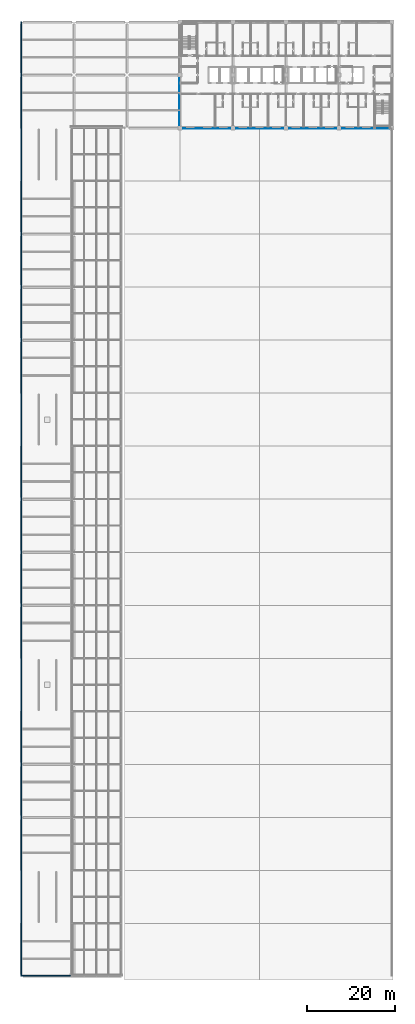
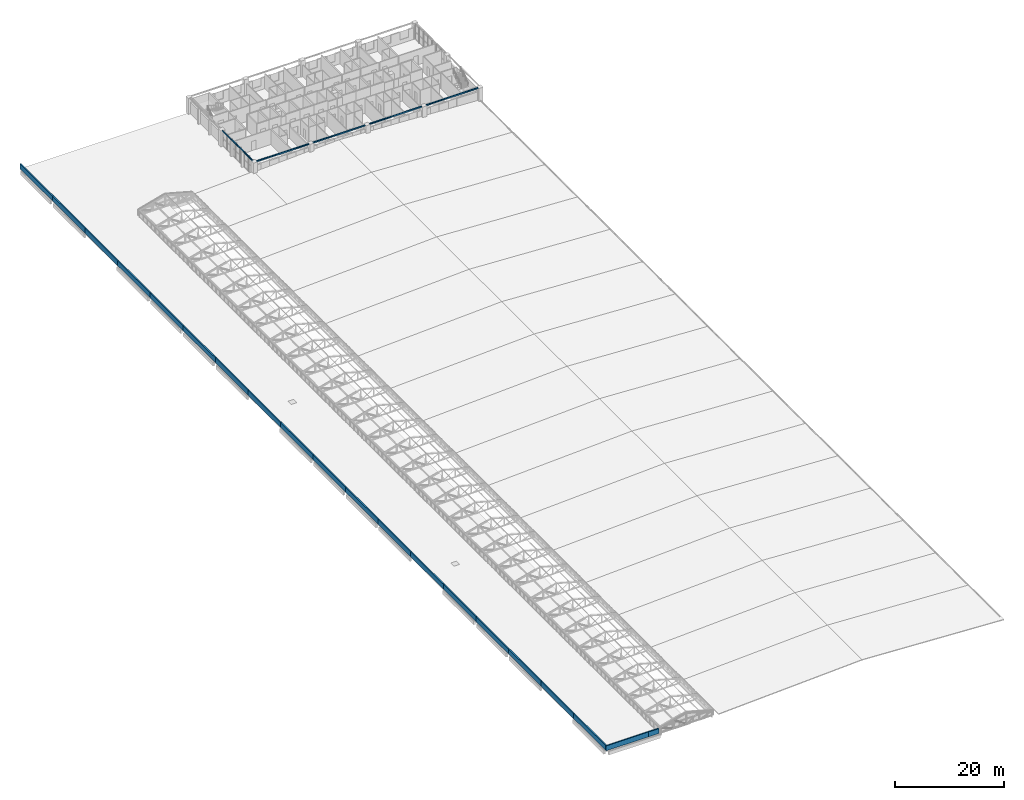
# One storey, part 86 of 94: 25 walls.
"""IFC4 building model written with IfcOpenShell, lengths in metres."""

from ifc_helpers import new_model, si_unit, direction, frame, frame_2d, origin, place, context, subcontext, project, spatial, rectangle, extrude, material, layer, layer_set, type_object, element, save


model = new_model("IFC4")

# Units and contexts
model_context = context("Model", 3, precision=1e-05, world=origin(), true_north=direction((0.0, 1.0)))
body_context = subcontext(model_context, "Body", "Model", "MODEL_VIEW")
ifc_project = project(units=[si_unit("LENGTHUNIT", "METRE"), si_unit("AREAUNIT", "SQUARE_METRE"), si_unit("VOLUMEUNIT", "CUBIC_METRE"), si_unit("PLANEANGLEUNIT", "RADIAN"), si_unit("MASSUNIT", "GRAM", prefix="KILO")], contexts=[model_context])

# Site, building, storey
site_placement = place(None, origin())
site = spatial("IfcSite", under=ifc_project, at=site_placement, CompositionType="ELEMENT")
building_placement = place(site_placement, origin())
building = spatial("IfcBuilding", under=site, at=building_placement, Name="Lilac Gate Convention Centre", CompositionType="ELEMENT")
storey_placement = place(building_placement, frame((0.0, 0.0, 21.0)))
storey = spatial("IfcBuildingStorey", under=building, at=storey_placement, Name="L04", CompositionType="ELEMENT", Elevation=21.0)

# Walls
ifc_material_1 = material(Name="Concrete C40 precast", Category="concrete")
ifc_layer_1 = layer(ifc_material_1, 0.22998046875)
ifc_material_2 = material(Name="Ochre mineral render")
ifc_layer_2 = layer(ifc_material_2, 0.02001953125)
ifc_layer_set_1 = layer_set([ifc_layer_1, ifc_layer_2], Name="Concrete C40 precast, Ochre mineral render")
wall_type_1 = type_object("IfcWallType", Name="Parapet precast 250", PredefinedType="PARAPET", material=ifc_layer_set_1)
for number, where, z_axis, x_axis, name in (
    (1, (6.125, 30.0, 0.0), (0.0, 0.0, 1.0), (0.0, 1.0, 0.0), "Parapet stack roof W 1"),
    (2, (6.125, 42.0, 0.0), (0.0, 0.0, 1.0), (0.0, 1.0, 0.0), "Parapet stack roof W 2"),
    (3, (6.125, 54.0, 0.0), (0.0, 0.0, 1.0), (0.0, 1.0, 0.0), "Parapet stack roof W 3"),
    (4, (6.125, 66.0, 0.0), (0.0, 0.0, 1.0), (0.0, 1.0, 0.0), "Parapet stack roof W 4"),
    (5, (6.125, 78.0, 0.0), (0.0, 0.0, 1.0), (0.0, 1.0, 0.0), "Parapet stack roof W 5"),
    (6, (6.125, 90.0, 0.0), (0.0, 0.0, 1.0), (0.0, 1.0, 0.0), "Parapet stack roof W 6"),
    (7, (6.125, 102.0, 0.0), (0.0, 0.0, 1.0), (0.0, 1.0, 0.0), "Parapet stack roof W 7"),
    (8, (6.125, 114.0, 0.0), (0.0, 0.0, 1.0), (0.0, 1.0, 0.0), "Parapet stack roof W 8"),
    (9, (6.125, 126.0, 0.0), (0.0, 0.0, 1.0), (0.0, 1.0, 0.0), "Parapet stack roof W 9"),
    (10, (6.125, 138.0, 0.0), (0.0, 0.0, 1.0), (0.0, 1.0, 0.0), "Parapet stack roof W 10"),
    (11, (6.125, 150.0, 0.0), (0.0, 0.0, 1.0), (0.0, 1.0, 0.0), "Parapet stack roof W 11"),
    (12, (6.125, 162.0, 0.0), (0.0, 0.0, 1.0), (0.0, 1.0, 0.0), "Parapet stack roof W 12"),
    (13, (6.125, 174.0, 0.0), (0.0, 0.0, 1.0), (0.0, 1.0, 0.0), "Parapet stack roof W 13"),
    (14, (6.125, 186.0, 0.0), (0.0, 0.0, 1.0), (0.0, 1.0, 0.0), "Parapet stack roof W 14"),
    (15, (6.125, 198.0, 0.0), (0.0, 0.0, 1.0), (0.0, 1.0, 0.0), "Parapet stack roof W 15"),
    (16, (6.125, 210.0, 0.0), (0.0, 0.0, 1.0), (0.0, 1.0, 0.0), "Parapet stack roof W 16"),
    (17, (6.125, 222.0, 0.0), (0.0, 0.0, 1.0), (0.0, 1.0, 0.0), "Parapet stack roof W 17"),
    (18, (6.125, 234.0, 0.0), (0.0, 0.0, 1.0), (0.0, 1.0, 0.0), "Parapet stack roof W 18"),
):
    element("IfcWall", number, at=place(storey_placement, frame(where, z_axis=z_axis, x_axis=x_axis)), inside=storey, type_object=wall_type_1, Name=name, PredefinedType="PARAPET", context=body_context, shape_type="SweptSolid", body=[
        extrude(rectangle(XDim=12.0, YDim=0.25, at=frame_2d((6.0, 0.0))), origin(), (0.0, 0.0, 1.0), 1.10009765625),
    ])
wall_1_placement = place(storey_placement, frame((6.0, 30.125, 0.0), z_axis=(0.0, 0.0, 1.0), x_axis=(1.0, 0.0, 0.0)))
element("IfcWall", 19, at=wall_1_placement, inside=storey, type_object=wall_type_1, Name="Parapet stack roof S 1", PredefinedType="PARAPET", context=body_context, shape_type="SweptSolid", body=[
    extrude(rectangle(XDim=9.0, YDim=0.25, at=frame_2d((4.5, 0.0))), origin(), (0.0, 0.0, 1.0), 1.10009765625),
])
wall_2_placement = place(storey_placement, frame((15.0, 30.125, 0.0), z_axis=(0.0, 0.0, 1.0), x_axis=(1.0, 0.0, 0.0)))
element("IfcWall", 20, at=wall_2_placement, inside=storey, type_object=wall_type_1, Name="Parapet stack roof S 2", PredefinedType="PARAPET", context=body_context, shape_type="SweptSolid", body=[
    extrude(rectangle(XDim=2.25, YDim=0.25, at=frame_2d((1.125, 0.0))), origin(), (0.0, 0.0, 1.0), 1.10009765625),
])
ifc_layer_3 = layer(ifc_material_1, 0.1298828125)
ifc_layer_4 = layer(ifc_material_2, 0.02001953125)
ifc_layer_set_2 = layer_set([ifc_layer_3, ifc_layer_4], Name="Concrete C40 precast, Ochre mineral render")
wall_type_2 = type_object("IfcWallType", Name="Precast band ochre 150", PredefinedType="STANDARD", material=ifc_layer_set_2)
for number, where, z_axis, x_axis, name in (
    (21, (42.449951171875, 221.925048828125, 3.39990234375), (0.0, 0.0, 1.0), (1.0, 0.0, 0.0), "Precast band S L04 1"),
    (22, (54.449951171875, 221.925048828125, 3.39990234375), (0.0, 0.0, 1.0), (1.0, 0.0, 0.0), "Precast band S L04 2"),
    (23, (66.449951171875, 221.925048828125, 3.39990234375), (0.0, 0.0, 1.0), (1.0, 0.0, 0.0), "Precast band S L04 3"),
    (24, (78.449951171875, 221.925048828125, 3.39990234375), (0.0, 0.0, 1.0), (1.0, 0.0, 0.0), "Precast band S L04 4"),
    (25, (41.925048828125, 233.550048828125, 3.39990234375), (0.0, 0.0, 1.0), (0.0, -1.0, 0.0), "Precast band W L04 2"),
):
    element("IfcWall", number, at=place(storey_placement, frame(where, z_axis=z_axis, x_axis=x_axis)), inside=storey, type_object=wall_type_2, Name=name, PredefinedType="STANDARD", context=body_context, shape_type="SweptSolid", body=[
        extrude(rectangle(XDim=11.10009765625, YDim=0.14990234375, at=frame_2d((5.550048828125, 0.0))), origin(), (0.0, 0.0, 1.0), 0.2001953125),
    ])

save(model, "model.ifc")
